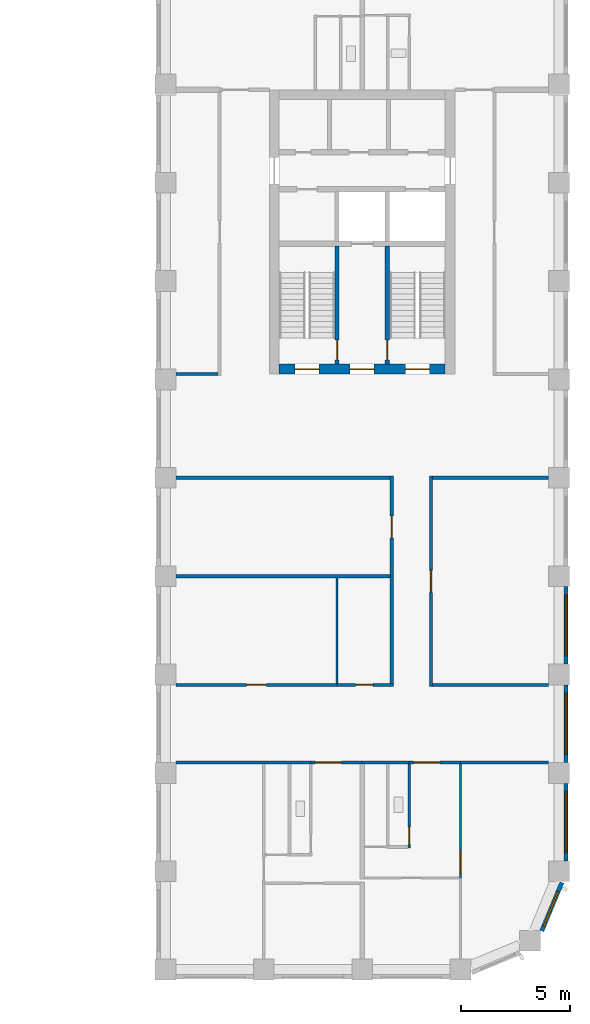
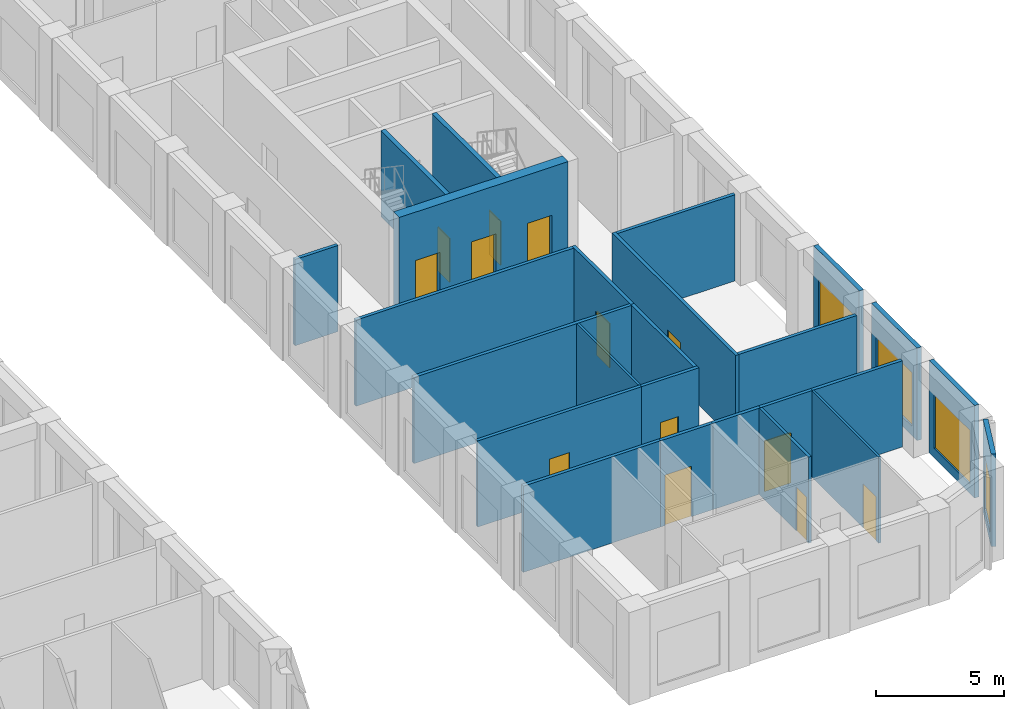
# One storey, part 5 of 12: 25 walls, 13 doors, 4 windows, 17 openings.
"""IFC4 building model written with IfcOpenShell, lengths in metres."""

from ifc_helpers import new_model, si_unit, direction, frame, frame_2d, origin, place, context, subcontext, project, spatial, rectangle, extrude, material, layer, layer_set, type_object, element, fill, save


model = new_model("IFC4")

# Units and contexts
model_context = context("Model", 3, precision=1e-05, world=origin(), true_north=direction((0.0, 1.0)))
body_context = subcontext(model_context, "Body", "Model", "MODEL_VIEW")
ifc_project = project(units=[si_unit("LENGTHUNIT", "METRE"), si_unit("AREAUNIT", "SQUARE_METRE"), si_unit("VOLUMEUNIT", "CUBIC_METRE"), si_unit("PLANEANGLEUNIT", "RADIAN"), si_unit("MASSUNIT", "GRAM", prefix="KILO")], contexts=[model_context])

# Site, building, storey
site_placement = place(None, origin())
site = spatial("IfcSite", under=ifc_project, at=site_placement, CompositionType="ELEMENT")
building_placement = place(site_placement, origin())
building = spatial("IfcBuilding", under=site, at=building_placement, Name="Girih Gate Residences", CompositionType="ELEMENT")
storey_placement = place(building_placement, frame((0.0, 0.0, 155.0)))
storey = spatial("IfcBuildingStorey", under=building, at=storey_placement, Name="L43", CompositionType="ELEMENT", Elevation=155.0)

# Wall, opening, door
ifc_material_1 = material(Name="Gypsum board on steel studs", Category="steel")
ifc_layer_1 = layer(ifc_material_1, 0.14990234375)
ifc_layer_set_1 = layer_set([ifc_layer_1], Name="Compartment wall 150 mm")
wall_type_1 = type_object("IfcWallType", Name="Compartment wall 150 mm", PredefinedType="PARTITIONING", material=ifc_layer_set_1)
wall_1_placement = place(storey_placement, frame((45.0, 9.47509765625, 0.0), z_axis=(0.0, 0.0, 1.0), x_axis=(-1.0, 0.0, 0.0)))
wall_1 = element("IfcWall", 1, at=wall_1_placement, inside=storey, type_object=wall_type_1, Name="L43 partition", PredefinedType="PARTITIONING", context=body_context, shape_type="SweptSolid", body=[
    extrude(rectangle(XDim=2.35009765625, YDim=0.14990234375, at=frame_2d((1.175048828125, 0.0))), origin(), (0.0, 0.0, 1.0), 4.10009765625),
])
opening_1_placement = place(wall_1_placement, frame((0.949951171875, 0.0, 0.0)))
opening_1 = element("IfcOpeningElement", 2, at=opening_1_placement, cuts=wall_1, Name="Opening A43-017", PredefinedType="OPENING", context=body_context, shape_type="SweptSolid", body=[
    extrude(rectangle(XDim=1.199951171875, YDim=2.39990234375, at=frame_2d((0.60009765625, 1.199951171875))), frame((0.0, 0.0849609375, 0.0), z_axis=(0.0, -1.0, 0.0), x_axis=(1.0, 0.0, 0.0)), (0.0, 0.0, 1.0), 0.169921875),
])
ifc_material_2 = material(Name="Timber, fire-rated core", Category="wood")
door_type_1 = type_object("IfcDoorType", Name="Villa entrance door 1200x2400 FD30S", OperationType="NOTDEFINED", PredefinedType="DOOR", material=ifc_material_2)
door_1_placement = place(opening_1_placement, origin())
door_1 = element("IfcDoor", 3, at=door_1_placement, inside=storey, type_object=door_type_1, Name="Door A43-017", OperationType="SINGLE_SWING_RIGHT", OverallHeight=2.39990234375, OverallWidth=1.199951171875, PredefinedType="DOOR", context=body_context, shape_type="SweptSolid", body=[
    extrude(rectangle(XDim=1.199951171875, YDim=2.39990234375, at=frame_2d((0.60009765625, 1.199951171875))), frame((0.0, 0.02490234375, 0.0), z_axis=(0.0, -1.0, 0.0), x_axis=(1.0, 0.0, 0.0)), (0.0, 0.0, 1.0), 0.050048828125),
])
fill(opening_1, door_1)

# Walls
wall_2_placement = place(storey_placement, frame((40.5, 9.47509765625, 0.0), z_axis=(0.0, 0.0, 1.0), x_axis=(1.0, 0.0, 0.0)))
element("IfcWall", 4, at=wall_2_placement, inside=storey, type_object=wall_type_1, Name="L43 partition", PredefinedType="PARTITIONING", context=body_context, shape_type="SweptSolid", body=[
    extrude(rectangle(XDim=2.14990234375, YDim=0.14990234375, at=frame_2d((1.074951171875, 0.0))), origin(), (0.0, 0.0, 1.0), 4.10009765625),
])
wall_3_placement = place(storey_placement, frame((45.0, 9.47509765625, 0.0), z_axis=(0.0, 0.0, 1.0), x_axis=(1.0, 0.0, 0.0)))
element("IfcWall", 5, at=wall_3_placement, inside=storey, type_object=wall_type_1, Name="L43 partition", PredefinedType="PARTITIONING", context=body_context, shape_type="SweptSolid", body=[
    extrude(rectangle(XDim=4.02490234375, YDim=0.14990234375, at=frame_2d((2.012451171875, 0.0))), origin(), (0.0, 0.0, 1.0), 4.10009765625),
])

# Wall, opening, door
wall_4_placement = place(storey_placement, frame((40.5, 9.47509765625, 0.0), z_axis=(0.0, 0.0, 1.0), x_axis=(-1.0, 0.0, 0.0)))
wall_4 = element("IfcWall", 6, at=wall_4_placement, inside=storey, type_object=wall_type_1, Name="L43 partition", PredefinedType="PARTITIONING", context=body_context, shape_type="SweptSolid", body=[
    extrude(rectangle(XDim=2.35009765625, YDim=0.14990234375, at=frame_2d((1.175048828125, 0.0))), origin(), (0.0, 0.0, 1.0), 4.10009765625),
])
opening_2_placement = place(wall_4_placement, frame((0.949951171875, 0.0, 0.0)))
opening_2 = element("IfcOpeningElement", 7, at=opening_2_placement, cuts=wall_4, Name="Opening A43-022", PredefinedType="OPENING", context=body_context, shape_type="SweptSolid", body=[
    extrude(rectangle(XDim=1.199951171875, YDim=2.39990234375, at=frame_2d((0.60009765625, 1.199951171875))), frame((0.0, 0.0849609375, 0.0), z_axis=(0.0, -1.0, 0.0), x_axis=(1.0, 0.0, 0.0)), (0.0, 0.0, 1.0), 0.169921875),
])
door_2_placement = place(opening_2_placement, origin())
door_2 = element("IfcDoor", 8, at=door_2_placement, inside=storey, type_object=door_type_1, Name="Door A43-022", OperationType="SINGLE_SWING_RIGHT", OverallHeight=2.39990234375, OverallWidth=1.199951171875, PredefinedType="DOOR", context=body_context, shape_type="SweptSolid", body=[
    extrude(rectangle(XDim=1.199951171875, YDim=2.39990234375, at=frame_2d((0.60009765625, 1.199951171875))), frame((0.0, 0.02490234375, 0.0), z_axis=(0.0, -1.0, 0.0), x_axis=(1.0, 0.0, 0.0)), (0.0, 0.0, 1.0), 0.050048828125),
])
fill(opening_2, door_2)

# Walls
wall_5_placement = place(storey_placement, frame((31.97509765625, 9.47509765625, 0.0), z_axis=(0.0, 0.0, 1.0), x_axis=(1.0, 0.0, 0.0)))
element("IfcWall", 9, at=wall_5_placement, inside=storey, type_object=wall_type_1, Name="L43 partition", PredefinedType="PARTITIONING", context=body_context, shape_type="SweptSolid", body=[
    extrude(rectangle(XDim=6.1748046875, YDim=0.14990234375, at=frame_2d((3.08740234375, 0.0))), origin(), (0.0, 0.0, 1.0), 4.10009765625),
])
wall_6_placement = place(storey_placement, frame((31.97509765625, 22.5, 0.0), z_axis=(0.0, 0.0, 1.0), x_axis=(1.0, 0.0, 0.0)))
element("IfcWall", 10, at=wall_6_placement, inside=storey, type_object=wall_type_1, Name="L43 partition", PredefinedType="PARTITIONING", context=body_context, shape_type="SweptSolid", body=[
    extrude(rectangle(XDim=9.7998046875, YDim=0.14990234375, at=frame_2d((4.89990234375, 0.0))), origin(), (0.0, 0.0, 1.0), 4.10009765625),
])

# Wall, opening, door
wall_7_placement = place(storey_placement, frame((41.85009765625, 18.0, 0.0), z_axis=(0.0, 0.0, 1.0), x_axis=(0.0, 1.0, 0.0)))
wall_7 = element("IfcWall", 11, at=wall_7_placement, inside=storey, type_object=wall_type_1, Name="L43 partition", PredefinedType="PARTITIONING", context=body_context, shape_type="SweptSolid", body=[
    extrude(rectangle(XDim=4.574951171875, YDim=0.14990234375, at=frame_2d((2.28759765625, 0.0))), origin(), (0.0, 0.0, 1.0), 4.10009765625),
])
opening_3_placement = place(wall_7_placement, frame((1.75, 0.0, 0.0)))
opening_3 = element("IfcOpeningElement", 12, at=opening_3_placement, cuts=wall_7, Name="Opening A43-033", PredefinedType="OPENING", context=body_context, shape_type="SweptSolid", body=[
    extrude(rectangle(XDim=1.0, YDim=2.10009765625, at=frame_2d((0.5, 1.050048828125))), frame((0.0, 0.0849609375, 0.0), z_axis=(0.0, -1.0, 0.0), x_axis=(1.0, 0.0, 0.0)), (0.0, 0.0, 1.0), 0.169921875),
])
door_type_2 = type_object("IfcDoorType", Name="Amenity room door 1000x2100 FD30S", OperationType="NOTDEFINED", PredefinedType="DOOR", material=ifc_material_2)
door_3_placement = place(opening_3_placement, origin())
door_3 = element("IfcDoor", 13, at=door_3_placement, inside=storey, type_object=door_type_2, Name="Door A43-033", OperationType="SINGLE_SWING_LEFT", OverallHeight=2.10009765625, OverallWidth=1.0, PredefinedType="DOOR", context=body_context, shape_type="SweptSolid", body=[
    extrude(rectangle(XDim=1.0, YDim=2.10009765625, at=frame_2d((0.5, 1.050048828125))), frame((0.0, 0.02490234375, 0.0), z_axis=(0.0, -1.0, 0.0), x_axis=(1.0, 0.0, 0.0)), (0.0, 0.0, 1.0), 0.050048828125),
])
fill(opening_3, door_3)

# Wall
wall_8_placement = place(storey_placement, frame((31.97509765625, 18.0, 0.0), z_axis=(0.0, 0.0, 1.0), x_axis=(1.0, 0.0, 0.0)))
element("IfcWall", 14, at=wall_8_placement, inside=storey, type_object=wall_type_1, Name="L43 partition", PredefinedType="PARTITIONING", context=body_context, shape_type="SweptSolid", body=[
    extrude(rectangle(XDim=9.7998046875, YDim=0.14990234375, at=frame_2d((4.89990234375, 0.0))), origin(), (0.0, 0.0, 1.0), 4.10009765625),
])

# Wall, opening, door
wall_9_placement = place(storey_placement, frame((31.97509765625, 13.02490234375, 0.0), z_axis=(0.0, 0.0, 1.0), x_axis=(1.0, 0.0, 0.0)))
wall_9 = element("IfcWall", 15, at=wall_9_placement, inside=storey, type_object=wall_type_1, Name="L43 partition", PredefinedType="PARTITIONING", context=body_context, shape_type="SweptSolid", body=[
    extrude(rectangle(XDim=7.375, YDim=0.14990234375, at=frame_2d((3.6875, 0.0))), origin(), (0.0, 0.0, 1.0), 4.10009765625),
])
opening_4_placement = place(wall_9_placement, frame((3.237548828125, 0.0, 0.0)))
opening_4 = element("IfcOpeningElement", 16, at=opening_4_placement, cuts=wall_9, Name="Opening A43-035", PredefinedType="OPENING", context=body_context, shape_type="SweptSolid", body=[
    extrude(rectangle(XDim=0.89990234375, YDim=2.10009765625, at=frame_2d((0.449951171875, 1.050048828125))), frame((0.0, 0.0849609375, 0.0), z_axis=(0.0, -1.0, 0.0), x_axis=(1.0, 0.0, 0.0)), (0.0, 0.0, 1.0), 0.169921875),
])
ifc_material_3 = material(Name="Timber", Category="wood")
door_type_3 = type_object("IfcDoorType", Name="Service room door 900x2100", OperationType="NOTDEFINED", PredefinedType="DOOR", material=ifc_material_3)
door_4_placement = place(opening_4_placement, origin())
door_4 = element("IfcDoor", 17, at=door_4_placement, inside=storey, type_object=door_type_3, Name="Door A43-035", OperationType="SINGLE_SWING_LEFT", OverallHeight=2.10009765625, OverallWidth=0.89990234375, PredefinedType="DOOR", context=body_context, shape_type="SweptSolid", body=[
    extrude(rectangle(XDim=0.89990234375, YDim=2.10009765625, at=frame_2d((0.449951171875, 1.050048828125))), frame((0.0, 0.02490234375, 0.0), z_axis=(0.0, -1.0, 0.0), x_axis=(1.0, 0.0, 0.0)), (0.0, 0.0, 1.0), 0.050048828125),
])
fill(opening_4, door_4)

wall_10_placement = place(storey_placement, frame((39.35009765625, 13.02490234375, 0.0), z_axis=(0.0, 0.0, 1.0), x_axis=(1.0, 0.0, 0.0)))
wall_10 = element("IfcWall", 18, at=wall_10_placement, inside=storey, type_object=wall_type_1, Name="L43 partition", PredefinedType="PARTITIONING", context=body_context, shape_type="SweptSolid", body=[
    extrude(rectangle(XDim=2.574951171875, YDim=0.14990234375, at=frame_2d((1.28759765625, 0.0))), origin(), (0.0, 0.0, 1.0), 4.10009765625),
])
opening_5_placement = place(wall_10_placement, frame((0.85009765625, 0.0, 0.0)))
opening_5 = element("IfcOpeningElement", 19, at=opening_5_placement, cuts=wall_10, Name="Opening A43-036", PredefinedType="OPENING", context=body_context, shape_type="SweptSolid", body=[
    extrude(rectangle(XDim=0.800048828125, YDim=2.10009765625, at=frame_2d((0.39990234375, 1.050048828125))), frame((0.0, 0.0849609375, 0.0), z_axis=(0.0, -1.0, 0.0), x_axis=(1.0, 0.0, 0.0)), (0.0, 0.0, 1.0), 0.169921875),
])
door_type_4 = type_object("IfcDoorType", Name="Bathroom door 800x2100", OperationType="NOTDEFINED", PredefinedType="DOOR", material=ifc_material_3)
door_5_placement = place(opening_5_placement, origin())
door_5 = element("IfcDoor", 20, at=door_5_placement, inside=storey, type_object=door_type_4, Name="Door A43-036", OperationType="SINGLE_SWING_LEFT", OverallHeight=2.10009765625, OverallWidth=0.800048828125, PredefinedType="DOOR", context=body_context, shape_type="SweptSolid", body=[
    extrude(rectangle(XDim=0.800048828125, YDim=2.10009765625, at=frame_2d((0.39990234375, 1.050048828125))), frame((0.0, 0.02490234375, 0.0), z_axis=(0.0, -1.0, 0.0), x_axis=(1.0, 0.0, 0.0)), (0.0, 0.0, 1.0), 0.050048828125),
])
fill(opening_5, door_5)

# Walls
wall_11_placement = place(storey_placement, frame((43.72509765625, 13.02490234375, 0.0), z_axis=(0.0, 0.0, 1.0), x_axis=(1.0, 0.0, 0.0)))
element("IfcWall", 21, at=wall_11_placement, inside=storey, type_object=wall_type_1, Name="L43 partition", PredefinedType="PARTITIONING", context=body_context, shape_type="SweptSolid", body=[
    extrude(rectangle(XDim=5.2998046875, YDim=0.14990234375, at=frame_2d((2.64990234375, 0.0))), origin(), (0.0, 0.0, 1.0), 4.10009765625),
])
wall_12_placement = place(storey_placement, frame((31.97509765625, 27.25, 0.0), z_axis=(0.0, 0.0, 1.0), x_axis=(1.0, 0.0, 0.0)))
element("IfcWall", 22, at=wall_12_placement, inside=storey, type_object=wall_type_1, Name="L43 partition", PredefinedType="PARTITIONING", context=body_context, shape_type="SweptSolid", body=[
    extrude(rectangle(XDim=1.9248046875, YDim=0.14990234375, at=frame_2d((0.96240234375, 0.0))), origin(), (0.0, 0.0, 1.0), 4.10009765625),
])
wall_13_placement = place(storey_placement, frame((43.72509765625, 22.5, 0.0), z_axis=(0.0, 0.0, 1.0), x_axis=(1.0, 0.0, 0.0)))
element("IfcWall", 23, at=wall_13_placement, inside=storey, type_object=wall_type_1, Name="L43 partition", PredefinedType="PARTITIONING", context=body_context, shape_type="SweptSolid", body=[
    extrude(rectangle(XDim=5.2998046875, YDim=0.14990234375, at=frame_2d((2.64990234375, 0.0))), origin(), (0.0, 0.0, 1.0), 4.10009765625),
])
wall_14_placement = place(storey_placement, frame((41.85009765625, 13.10009765625, 0.0), z_axis=(0.0, 0.0, 1.0), x_axis=(0.0, 1.0, 0.0)))
element("IfcWall", 24, at=wall_14_placement, inside=storey, type_object=wall_type_1, Name="L43 partition", PredefinedType="PARTITIONING", context=body_context, shape_type="SweptSolid", body=[
    extrude(rectangle(XDim=4.89990234375, YDim=0.14990234375, at=frame_2d((2.449951171875, 0.0))), origin(), (0.0, 0.0, 1.0), 4.10009765625),
])

# Wall, opening, door
wall_15_placement = place(storey_placement, frame((43.64990234375, 22.574951171875, 0.0), z_axis=(0.0, 0.0, 1.0), x_axis=(0.0, -1.0, 0.0)))
wall_15 = element("IfcWall", 25, at=wall_15_placement, inside=storey, type_object=wall_type_1, Name="L43 partition", PredefinedType="PARTITIONING", context=body_context, shape_type="SweptSolid", body=[
    extrude(rectangle(XDim=9.625, YDim=0.14990234375, at=frame_2d((4.8125, 0.0))), origin(), (0.0, 0.0, 1.0), 4.10009765625),
])
opening_6_placement = place(wall_15_placement, frame((4.3125, 0.0, 0.0)))
opening_6 = element("IfcOpeningElement", 26, at=opening_6_placement, cuts=wall_15, Name="Opening A43-044", PredefinedType="OPENING", context=body_context, shape_type="SweptSolid", body=[
    extrude(rectangle(XDim=1.0, YDim=2.10009765625, at=frame_2d((0.5, 1.050048828125))), frame((0.0, 0.0849609375, 0.0), z_axis=(0.0, -1.0, 0.0), x_axis=(1.0, 0.0, 0.0)), (0.0, 0.0, 1.0), 0.169921875),
])
door_6_placement = place(opening_6_placement, origin())
door_6 = element("IfcDoor", 27, at=door_6_placement, inside=storey, type_object=door_type_2, Name="Door A43-044", OperationType="SINGLE_SWING_RIGHT", OverallHeight=2.10009765625, OverallWidth=1.0, PredefinedType="DOOR", context=body_context, shape_type="SweptSolid", body=[
    extrude(rectangle(XDim=1.0, YDim=2.10009765625, at=frame_2d((0.5, 1.050048828125))), frame((0.0, 0.02490234375, 0.0), z_axis=(0.0, -1.0, 0.0), x_axis=(1.0, 0.0, 0.0)), (0.0, 0.0, 1.0), 0.050048828125),
])
fill(opening_6, door_6)

# Wall, openings, doors
ifc_material_4 = material(Name="Concrete C60/75", Category="concrete")
ifc_layer_2 = layer(ifc_material_4, 0.449951171875)
ifc_layer_set_2 = layer_set([ifc_layer_2], Name="Core wall RC 450 Concrete C60/75")
wall_type_2 = type_object("IfcWallType", Name="Core wall RC 450 Concrete C60/75", PredefinedType="SOLIDWALL", material=ifc_layer_set_2)
wall_16_placement = place(storey_placement, frame((36.699951171875, 27.47509765625, 0.0), z_axis=(0.0, 0.0, 1.0), x_axis=(1.0, 0.0, 0.0)))
wall_16 = element("IfcWall", 28, at=wall_16_placement, inside=storey, type_object=wall_type_2, Name="Core wall E-S L43", PredefinedType="SOLIDWALL", context=body_context, shape_type="SweptSolid", body=[
    extrude(rectangle(XDim=7.60009765625, YDim=0.449951171875, at=frame_2d((3.800048828125, 0.0))), origin(), (0.0, 0.0, 1.0), 4.39990234375),
])
opening_7_placement = place(wall_16_placement, frame((5.77490234375, 0.0, 0.0)))
opening_7 = element("IfcOpeningElement", 29, at=opening_7_placement, cuts=wall_16, Name="Opening D-L43-E-009", PredefinedType="OPENING", context=body_context, shape_type="SweptSolid", body=[
    extrude(rectangle(XDim=1.10009765625, YDim=2.10009765625, at=frame_2d((0.550048828125, 1.050048828125))), frame((0.0, 0.23486328125, 0.0), z_axis=(0.0, -1.0, 0.0), x_axis=(1.0, 0.0, 0.0)), (0.0, 0.0, 1.0), 0.469970703125),
])
opening_8_placement = place(wall_16_placement, frame((3.25, 0.0, 0.0)))
opening_8 = element("IfcOpeningElement", 30, at=opening_8_placement, cuts=wall_16, Name="Opening D-L43-E-010", PredefinedType="OPENING", context=body_context, shape_type="SweptSolid", body=[
    extrude(rectangle(XDim=1.10009765625, YDim=2.10009765625, at=frame_2d((0.550048828125, 1.050048828125))), frame((0.0, 0.23486328125, 0.0), z_axis=(0.0, -1.0, 0.0), x_axis=(1.0, 0.0, 0.0)), (0.0, 0.0, 1.0), 0.469970703125),
])
opening_9_placement = place(wall_16_placement, frame((0.72509765625, 0.0, 0.0)))
opening_9 = element("IfcOpeningElement", 31, at=opening_9_placement, cuts=wall_16, Name="Opening D-L43-E-011", PredefinedType="OPENING", context=body_context, shape_type="SweptSolid", body=[
    extrude(rectangle(XDim=1.10009765625, YDim=2.10009765625, at=frame_2d((0.550048828125, 1.050048828125))), frame((0.0, 0.23486328125, 0.0), z_axis=(0.0, -1.0, 0.0), x_axis=(1.0, 0.0, 0.0)), (0.0, 0.0, 1.0), 0.469970703125),
])
ifc_material_5 = material(Name="Painted steel, fire-resisting", Category="steel")
door_type_5 = type_object("IfcDoorType", Name="Fire door 1100x2100", OperationType="SINGLE_SWING_LEFT", PredefinedType="DOOR", material=ifc_material_5)
door_7_placement = place(opening_7_placement, origin())
door_7 = element("IfcDoor", 32, at=door_7_placement, inside=storey, type_object=door_type_5, Name="L43 E core door sta-out", OperationType="SINGLE_SWING_LEFT", OverallHeight=2.10009765625, OverallWidth=1.10009765625, PredefinedType="DOOR", context=body_context, shape_type="SweptSolid", body=[
    extrude(rectangle(XDim=1.10009765625, YDim=2.10009765625, at=frame_2d((0.550048828125, 1.050048828125))), frame((0.0, 0.02490234375, 0.0), z_axis=(0.0, -1.0, 0.0), x_axis=(1.0, 0.0, 0.0)), (0.0, 0.0, 1.0), 0.050048828125),
])
fill(opening_7, door_7)
door_8_placement = place(opening_8_placement, origin())
door_8 = element("IfcDoor", 33, at=door_8_placement, inside=storey, type_object=door_type_5, Name="L43 E core door ffl-out", OperationType="SINGLE_SWING_LEFT", OverallHeight=2.10009765625, OverallWidth=1.10009765625, PredefinedType="DOOR", context=body_context, shape_type="SweptSolid", body=[
    extrude(rectangle(XDim=1.10009765625, YDim=2.10009765625, at=frame_2d((0.550048828125, 1.050048828125))), frame((0.0, 0.02490234375, 0.0), z_axis=(0.0, -1.0, 0.0), x_axis=(1.0, 0.0, 0.0)), (0.0, 0.0, 1.0), 0.050048828125),
])
fill(opening_8, door_8)
door_9_placement = place(opening_9_placement, origin())
door_9 = element("IfcDoor", 34, at=door_9_placement, inside=storey, type_object=door_type_5, Name="L43 E core door stb-out", OperationType="SINGLE_SWING_LEFT", OverallHeight=2.10009765625, OverallWidth=1.10009765625, PredefinedType="DOOR", context=body_context, shape_type="SweptSolid", body=[
    extrude(rectangle(XDim=1.10009765625, YDim=2.10009765625, at=frame_2d((0.550048828125, 1.050048828125))), frame((0.0, 0.02490234375, 0.0), z_axis=(0.0, -1.0, 0.0), x_axis=(1.0, 0.0, 0.0)), (0.0, 0.0, 1.0), 0.050048828125),
])
fill(opening_9, door_9)

# Wall, opening, door
ifc_layer_3 = layer(ifc_material_1, 0.10009765625)
ifc_layer_set_3 = layer_set([ifc_layer_3], Name="Partition 100 mm")
wall_type_3 = type_object("IfcWallType", Name="Partition 100 mm", PredefinedType="PARTITIONING", material=ifc_layer_set_3)
wall_17_placement = place(storey_placement, frame((45.0, 9.39990234375, 0.0), z_axis=(0.0, 0.0, 1.0), x_axis=(0.0, -1.0, 0.0)))
wall_17 = element("IfcWall", 35, at=wall_17_placement, inside=storey, type_object=wall_type_3, Name="L43 partition", PredefinedType="PARTITIONING", context=body_context, shape_type="SweptSolid", body=[
    extrude(rectangle(XDim=5.204833984375, YDim=0.10009765625, at=frame_2d((2.6025390625, 0.0))), origin(), (0.0, 0.0, 1.0), 4.10009765625),
])
opening_10_placement = place(wall_17_placement, frame((3.9951171875, 0.0, 0.0)))
opening_10 = element("IfcOpeningElement", 36, at=opening_10_placement, cuts=wall_17, Name="Opening A43-016", PredefinedType="OPENING", context=body_context, shape_type="SweptSolid", body=[
    extrude(rectangle(XDim=1.0, YDim=2.10009765625, at=frame_2d((0.5, 1.050048828125))), frame((0.0, 0.06005859375, 0.0), z_axis=(0.0, -1.0, 0.0), x_axis=(1.0, 0.0, 0.0)), (0.0, 0.0, 1.0), 0.1201171875),
])
door_type_6 = type_object("IfcDoorType", Name="Living room door 1000x2100", OperationType="NOTDEFINED", PredefinedType="DOOR", material=ifc_material_3)
door_10_placement = place(opening_10_placement, origin())
door_10 = element("IfcDoor", 37, at=door_10_placement, inside=storey, type_object=door_type_6, Name="Door A43-016", OperationType="SINGLE_SWING_RIGHT", OverallHeight=2.10009765625, OverallWidth=1.0, PredefinedType="DOOR", context=body_context, shape_type="SweptSolid", body=[
    extrude(rectangle(XDim=1.0, YDim=2.10009765625, at=frame_2d((0.5, 1.050048828125))), frame((0.0, 0.02490234375, 0.0), z_axis=(0.0, -1.0, 0.0), x_axis=(1.0, 0.0, 0.0)), (0.0, 0.0, 1.0), 0.050048828125),
])
fill(opening_10, door_10)

# Wall
wall_18_placement = place(storey_placement, frame((39.35009765625, 13.10009765625, 0.0), z_axis=(0.0, 0.0, 1.0), x_axis=(0.0, 1.0, 0.0)))
element("IfcWall", 38, at=wall_18_placement, inside=storey, type_object=wall_type_3, Name="L43 partition", PredefinedType="PARTITIONING", context=body_context, shape_type="SweptSolid", body=[
    extrude(rectangle(XDim=4.824951171875, YDim=0.10009765625, at=frame_2d((2.41259765625, 0.0))), origin(), (0.0, 0.0, 1.0), 4.10009765625),
])

# Wall, opening, window
ifc_material_6 = material(Name="Precast concrete C50/60", Category="concrete")
ifc_layer_4 = layer(ifc_material_6, 0.06005859375, Name="Outer leaf")
ifc_material_7 = material(Name="Rigid PIR insulation")
ifc_layer_5 = layer(ifc_material_7, 0.090087890625, Name="Insulation")
ifc_material_8 = material(Name="Precast concrete C40/50", Category="concrete")
ifc_layer_6 = layer(ifc_material_8, 0.050048828125, Name="Inner leaf")
ifc_layer_set_4 = layer_set([ifc_layer_4, ifc_layer_5, ifc_layer_6], Name="Precast concrete C50/60 external wall 200")
wall_type_4 = type_object("IfcWallType", Name="Precast concrete C50/60 external wall 200", PredefinedType="SOLIDWALL", material=ifc_layer_set_4)
wall_19_placement = place(storey_placement, frame((49.63916015625, 3.98681640625, 0.0), z_axis=(0.0, 0.0, 1.0), x_axis=(-0.382680855588, -0.923880599843, 0.0)))
wall_19 = element("IfcWall", 39, at=wall_19_placement, inside=storey, type_object=wall_type_4, Name="External wall SE0482_0013.0", PredefinedType="SOLIDWALL", context=body_context, shape_type="SweptSolid", body=[
    extrude(rectangle(XDim=2.402587890625, YDim=0.199951171875, at=frame_2d((1.201171875, 0.0))), origin(), (0.0, 0.0, 1.0), 4.39990234375),
])
opening_11_placement = place(wall_19_placement, frame((0.451171875, 0.0, 0.449951171875)))
opening_11 = element("IfcOpeningElement", 40, at=opening_11_placement, cuts=wall_19, Name="Opening W-2F", PredefinedType="OPENING", context=body_context, shape_type="SweptSolid", body=[
    extrude(rectangle(XDim=1.699951171875, YDim=2.550048828125, at=frame_2d((0.85009765625, 1.27490234375))), frame((0.0, 0.10986328125, 0.0), z_axis=(0.0, -1.0, 0.0), x_axis=(1.0, 0.0, 0.0)), (0.0, 0.0, 1.0), 0.219970703125),
])
ifc_material_9 = material(Name="Double glazing in aluminium frame", Category="aluminium")
window_type_1 = type_object("IfcWindowType", Name="Window W-2F 1700x2550", PartitioningType="SINGLE_PANEL", PredefinedType="WINDOW", material=ifc_material_9)
window_1_placement = place(opening_11_placement, origin())
window_1 = element("IfcWindow", 41, at=window_1_placement, inside=storey, type_object=window_type_1, Name="Window W-2F SE0482_0013.0", OverallHeight=2.550048828125, OverallWidth=1.699951171875, PartitioningType="SINGLE_PANEL", PredefinedType="WINDOW", context=body_context, shape_type="SweptSolid", body=[
    extrude(rectangle(XDim=1.699951171875, YDim=2.550048828125, at=frame_2d((0.85009765625, 1.27490234375))), frame((0.0, 0.030029296875, 0.0), z_axis=(0.0, -1.0, 0.0), x_axis=(1.0, 0.0, 0.0)), (0.0, 0.0, 1.0), 0.06005859375),
])
fill(opening_11, window_1)

wall_20_placement = place(storey_placement, frame((49.824951171875, 8.52490234375, 0.0), z_axis=(0.0, 0.0, 1.0), x_axis=(0.0, -1.0, 0.0)))
wall_20 = element("IfcWall", 42, at=wall_20_placement, inside=storey, type_object=wall_type_4, Name="External wall E0495_0045.0", PredefinedType="SOLIDWALL", context=body_context, shape_type="SweptSolid", body=[
    extrude(rectangle(XDim=3.5498046875, YDim=0.199951171875, at=frame_2d((1.77490234375, 0.0))), origin(), (0.0, 0.0, 1.0), 4.39990234375),
])
opening_12_placement = place(wall_20_placement, frame((0.375, 0.0, 0.449951171875)))
opening_12 = element("IfcOpeningElement", 43, at=opening_12_placement, cuts=wall_20, Name="Opening W-6A", PredefinedType="OPENING", context=body_context, shape_type="SweptSolid", body=[
    extrude(rectangle(XDim=2.800048828125, YDim=2.550048828125, at=frame_2d((1.39990234375, 1.27490234375))), frame((0.0, 0.10986328125, 0.0), z_axis=(0.0, -1.0, 0.0), x_axis=(1.0, 0.0, 0.0)), (0.0, 0.0, 1.0), 0.219970703125),
])
window_type_2 = type_object("IfcWindowType", Name="Window W-6A 2800x2550", PartitioningType="SINGLE_PANEL", PredefinedType="WINDOW", material=ifc_material_9)
window_2_placement = place(opening_12_placement, origin())
window_2 = element("IfcWindow", 44, at=window_2_placement, inside=storey, type_object=window_type_2, Name="Window W-6A E0495_0045.0", OverallHeight=2.550048828125, OverallWidth=2.800048828125, PartitioningType="SINGLE_PANEL", PredefinedType="WINDOW", context=body_context, shape_type="SweptSolid", body=[
    extrude(rectangle(XDim=2.800048828125, YDim=2.550048828125, at=frame_2d((1.39990234375, 1.27490234375))), frame((0.0, 0.030029296875, 0.0), z_axis=(0.0, -1.0, 0.0), x_axis=(1.0, 0.0, 0.0)), (0.0, 0.0, 1.0), 0.06005859375),
])
fill(opening_12, window_2)

wall_21_placement = place(storey_placement, frame((49.824951171875, 13.02490234375, 0.0), z_axis=(0.0, 0.0, 1.0), x_axis=(0.0, -1.0, 0.0)))
wall_21 = element("IfcWall", 45, at=wall_21_placement, inside=storey, type_object=wall_type_4, Name="External wall E0495_0045.1", PredefinedType="SOLIDWALL", context=body_context, shape_type="SweptSolid", body=[
    extrude(rectangle(XDim=3.5498046875, YDim=0.199951171875, at=frame_2d((1.77490234375, 0.0))), origin(), (0.0, 0.0, 1.0), 4.39990234375),
])
opening_13_placement = place(wall_21_placement, frame((0.375, 0.0, 0.449951171875)))
opening_13 = element("IfcOpeningElement", 46, at=opening_13_placement, cuts=wall_21, Name="Opening W-6A", PredefinedType="OPENING", context=body_context, shape_type="SweptSolid", body=[
    extrude(rectangle(XDim=2.800048828125, YDim=2.550048828125, at=frame_2d((1.39990234375, 1.27490234375))), frame((0.0, 0.10986328125, 0.0), z_axis=(0.0, -1.0, 0.0), x_axis=(1.0, 0.0, 0.0)), (0.0, 0.0, 1.0), 0.219970703125),
])
window_3_placement = place(opening_13_placement, origin())
window_3 = element("IfcWindow", 47, at=window_3_placement, inside=storey, type_object=window_type_2, Name="Window W-6A E0495_0045.1", OverallHeight=2.550048828125, OverallWidth=2.800048828125, PartitioningType="SINGLE_PANEL", PredefinedType="WINDOW", context=body_context, shape_type="SweptSolid", body=[
    extrude(rectangle(XDim=2.800048828125, YDim=2.550048828125, at=frame_2d((1.39990234375, 1.27490234375))), frame((0.0, 0.030029296875, 0.0), z_axis=(0.0, -1.0, 0.0), x_axis=(1.0, 0.0, 0.0)), (0.0, 0.0, 1.0), 0.06005859375),
])
fill(opening_13, window_3)

wall_22_placement = place(storey_placement, frame((49.824951171875, 17.52490234375, 0.0), z_axis=(0.0, 0.0, 1.0), x_axis=(0.0, -1.0, 0.0)))
wall_22 = element("IfcWall", 48, at=wall_22_placement, inside=storey, type_object=wall_type_4, Name="External wall E0495_0045.2", PredefinedType="SOLIDWALL", context=body_context, shape_type="SweptSolid", body=[
    extrude(rectangle(XDim=3.5498046875, YDim=0.199951171875, at=frame_2d((1.77490234375, 0.0))), origin(), (0.0, 0.0, 1.0), 4.39990234375),
])
opening_14_placement = place(wall_22_placement, frame((0.375, 0.0, 0.449951171875)))
opening_14 = element("IfcOpeningElement", 49, at=opening_14_placement, cuts=wall_22, Name="Opening W-6A", PredefinedType="OPENING", context=body_context, shape_type="SweptSolid", body=[
    extrude(rectangle(XDim=2.800048828125, YDim=2.550048828125, at=frame_2d((1.39990234375, 1.27490234375))), frame((0.0, 0.10986328125, 0.0), z_axis=(0.0, -1.0, 0.0), x_axis=(1.0, 0.0, 0.0)), (0.0, 0.0, 1.0), 0.219970703125),
])
window_4_placement = place(opening_14_placement, origin())
window_4 = element("IfcWindow", 50, at=window_4_placement, inside=storey, type_object=window_type_2, Name="Window W-6A E0495_0045.2", OverallHeight=2.550048828125, OverallWidth=2.800048828125, PartitioningType="SINGLE_PANEL", PredefinedType="WINDOW", context=body_context, shape_type="SweptSolid", body=[
    extrude(rectangle(XDim=2.800048828125, YDim=2.550048828125, at=frame_2d((1.39990234375, 1.27490234375))), frame((0.0, 0.030029296875, 0.0), z_axis=(0.0, -1.0, 0.0), x_axis=(1.0, 0.0, 0.0)), (0.0, 0.0, 1.0), 0.06005859375),
])
fill(opening_14, window_4)

# Wall, opening, door
ifc_material_10 = material(Name="Concrete C40/50", Category="concrete")
ifc_layer_7 = layer(ifc_material_10, 0.199951171875)
ifc_layer_set_5 = layer_set([ifc_layer_7], Name="Shaft wall 200")
wall_type_5 = type_object("IfcWallType", Name="Shaft wall 200", PredefinedType="SOLIDWALL", material=ifc_layer_set_5)
wall_23_placement = place(storey_placement, frame((41.64990234375, 27.699951171875, 0.0), z_axis=(0.0, 0.0, 1.0), x_axis=(0.0, 1.0, 0.0)))
wall_23 = element("IfcWall", 51, at=wall_23_placement, inside=storey, type_object=wall_type_5, Name="L43 E core wall V1a", PredefinedType="SOLIDWALL", context=body_context, shape_type="SweptSolid", body=[
    extrude(rectangle(XDim=5.400146484375, YDim=0.199951171875, at=frame_2d((2.7001953125, 0.0))), origin(), (0.0, 0.0, 1.0), 4.10009765625),
])
opening_15_placement = place(wall_23_placement, frame((0.199951171875, 0.0, 0.0)))
opening_15 = element("IfcOpeningElement", 52, at=opening_15_placement, cuts=wall_23, Name="Opening D-L43-E-001", PredefinedType="OPENING", context=body_context, shape_type="SweptSolid", body=[
    extrude(rectangle(XDim=0.89990234375, YDim=2.10009765625, at=frame_2d((0.449951171875, 1.050048828125))), frame((0.0, 0.10986328125, 0.0), z_axis=(0.0, -1.0, 0.0), x_axis=(1.0, 0.0, 0.0)), (0.0, 0.0, 1.0), 0.219970703125),
])
door_type_7 = type_object("IfcDoorType", Name="Fire door 900x2100", OperationType="SINGLE_SWING_LEFT", PredefinedType="DOOR", material=ifc_material_5)
door_11_placement = place(opening_15_placement, origin())
door_11 = element("IfcDoor", 53, at=door_11_placement, inside=storey, type_object=door_type_7, Name="L43 E door stair 1 to firefighting lobby", OperationType="SINGLE_SWING_LEFT", OverallHeight=2.10009765625, OverallWidth=0.89990234375, PredefinedType="DOOR", context=body_context, shape_type="SweptSolid", body=[
    extrude(rectangle(XDim=0.89990234375, YDim=2.10009765625, at=frame_2d((0.449951171875, 1.050048828125))), frame((0.0, 0.02490234375, 0.0), z_axis=(0.0, -1.0, 0.0), x_axis=(1.0, 0.0, 0.0)), (0.0, 0.0, 1.0), 0.050048828125),
])
fill(opening_15, door_11)

wall_24_placement = place(storey_placement, frame((39.35009765625, 27.699951171875, 0.0), z_axis=(0.0, 0.0, 1.0), x_axis=(0.0, 1.0, 0.0)))
wall_24 = element("IfcWall", 54, at=wall_24_placement, inside=storey, type_object=wall_type_5, Name="L43 E core wall V2a", PredefinedType="SOLIDWALL", context=body_context, shape_type="SweptSolid", body=[
    extrude(rectangle(XDim=5.400146484375, YDim=0.199951171875, at=frame_2d((2.7001953125, 0.0))), origin(), (0.0, 0.0, 1.0), 4.10009765625),
])
opening_16_placement = place(wall_24_placement, frame((0.199951171875, 0.0, 0.0)))
opening_16 = element("IfcOpeningElement", 55, at=opening_16_placement, cuts=wall_24, Name="Opening D-L43-E-002", PredefinedType="OPENING", context=body_context, shape_type="SweptSolid", body=[
    extrude(rectangle(XDim=0.89990234375, YDim=2.10009765625, at=frame_2d((0.449951171875, 1.050048828125))), frame((0.0, 0.10986328125, 0.0), z_axis=(0.0, -1.0, 0.0), x_axis=(1.0, 0.0, 0.0)), (0.0, 0.0, 1.0), 0.219970703125),
])
door_12_placement = place(opening_16_placement, origin())
door_12 = element("IfcDoor", 56, at=door_12_placement, inside=storey, type_object=door_type_7, Name="L43 E door stair 2 to firefighting lobby", OperationType="SINGLE_SWING_LEFT", OverallHeight=2.10009765625, OverallWidth=0.89990234375, PredefinedType="DOOR", context=body_context, shape_type="SweptSolid", body=[
    extrude(rectangle(XDim=0.89990234375, YDim=2.10009765625, at=frame_2d((0.449951171875, 1.050048828125))), frame((0.0, 0.02490234375, 0.0), z_axis=(0.0, -1.0, 0.0), x_axis=(1.0, 0.0, 0.0)), (0.0, 0.0, 1.0), 0.050048828125),
])
fill(opening_16, door_12)

ifc_layer_8 = layer(ifc_material_1, 0.125)
ifc_layer_set_6 = layer_set([ifc_layer_8], Name="Wet room wall 125 mm")
wall_type_6 = type_object("IfcWallType", Name="Wet room wall 125 mm", PredefinedType="PARTITIONING", material=ifc_layer_set_6)
wall_25_placement = place(storey_placement, frame((42.64990234375, 5.552490234375, 0.0), z_axis=(0.0, 0.0, 1.0), x_axis=(0.0, 1.0, 0.0)))
wall_25 = element("IfcWall", 57, at=wall_25_placement, inside=storey, type_object=wall_type_6, Name="L43 partition", PredefinedType="PARTITIONING", context=body_context, shape_type="SweptSolid", body=[
    extrude(rectangle(XDim=3.847412109375, YDim=0.125, at=frame_2d((1.923828125, 0.0))), origin(), (0.0, 0.0, 1.0), 4.10009765625),
])
opening_17_placement = place(wall_25_placement, frame((0.1826171875, 0.0, 0.0)))
opening_17 = element("IfcOpeningElement", 58, at=opening_17_placement, cuts=wall_25, Name="Opening A43-013", PredefinedType="OPENING", context=body_context, shape_type="SweptSolid", body=[
    extrude(rectangle(XDim=0.800048828125, YDim=2.10009765625, at=frame_2d((0.39990234375, 1.050048828125))), frame((0.0, 0.072509765625, 0.0), z_axis=(0.0, -1.0, 0.0), x_axis=(1.0, 0.0, 0.0)), (0.0, 0.0, 1.0), 0.14501953125),
])
door_13_placement = place(opening_17_placement, origin())
door_13 = element("IfcDoor", 59, at=door_13_placement, inside=storey, type_object=door_type_4, Name="Door A43-013", OperationType="SINGLE_SWING_LEFT", OverallHeight=2.10009765625, OverallWidth=0.800048828125, PredefinedType="DOOR", context=body_context, shape_type="SweptSolid", body=[
    extrude(rectangle(XDim=0.800048828125, YDim=2.10009765625, at=frame_2d((0.39990234375, 1.050048828125))), frame((0.0, 0.02490234375, 0.0), z_axis=(0.0, -1.0, 0.0), x_axis=(1.0, 0.0, 0.0)), (0.0, 0.0, 1.0), 0.050048828125),
])
fill(opening_17, door_13)

save(model, "model.ifc")
